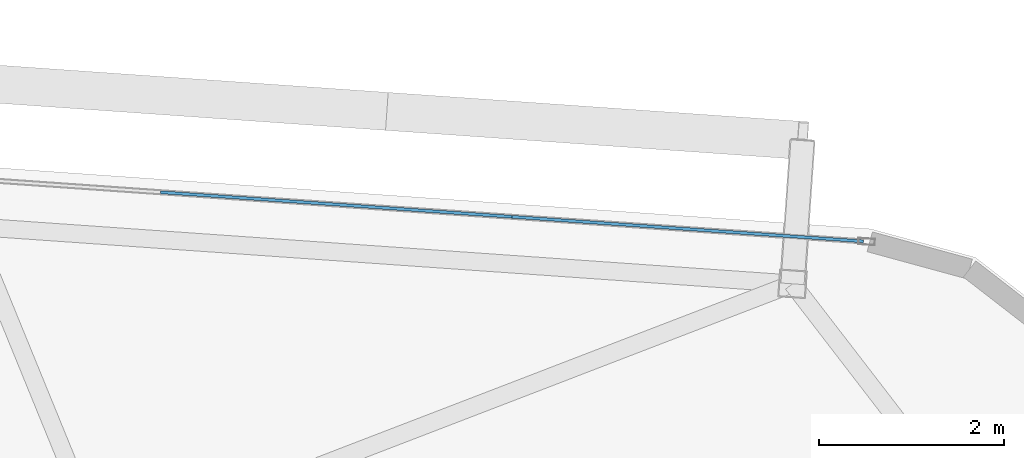
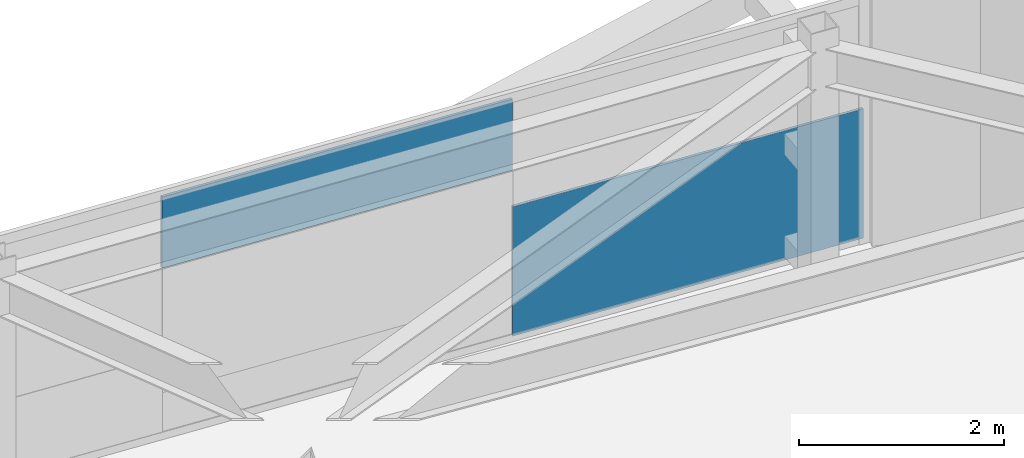
# One storey, part 26 of 39: 2 plates, 1 element without a shape of its own.
"""IFC4 building model written with IfcOpenShell, lengths in metres."""

from ifc_helpers import new_model, si_unit, direction, frame, origin, origin_2d, place, context, subcontext, project, spatial, rectangle, extrude, source, transform, mapped, material, layer, layer_set, type_object, element, aggregate, save


model = new_model("IFC4")

# Units and contexts
model_context = context("Model", 3, precision=1e-05, world=origin(), true_north=direction((0.0, 1.0)))
body_context = subcontext(model_context, "Body", "Model", "MODEL_VIEW")
ifc_project = project(units=[si_unit("LENGTHUNIT", "METRE"), si_unit("AREAUNIT", "SQUARE_METRE"), si_unit("VOLUMEUNIT", "CUBIC_METRE"), si_unit("PLANEANGLEUNIT", "RADIAN"), si_unit("MASSUNIT", "GRAM", prefix="KILO")], contexts=[model_context])

# Site, building, storey
site_placement = place(None, origin())
site = spatial("IfcSite", under=ifc_project, at=site_placement, CompositionType="ELEMENT")
building_placement = place(site_placement, origin())
building = spatial("IfcBuilding", under=site, at=building_placement, Name="Taldren Reach Tower", CompositionType="ELEMENT")
storey_placement = place(building_placement, frame((0.0, 0.0, 126.699951171875)))
storey = spatial("IfcBuildingStorey", under=building, at=storey_placement, Name="L38", CompositionType="ELEMENT", Elevation=126.699951171875)

# Curtain wall, plates
ifc_material_1 = material(Name="Aluminium and Low-E Glass Unitised System", Category="aluminium")
ifc_layer_1 = layer(ifc_material_1, 0.159912109375)
ifc_layer_set_1 = layer_set([ifc_layer_1], Name="Aluminium and Low-E Glass Unitised System")
curtain_wall_type = type_object("IfcCurtainWallType", Name="CW-SYS-4", PredefinedType="NOTDEFINED", material=ifc_layer_set_1)
curtain_wall_placement = place(storey_placement, origin())
curtain_wall = element("IfcCurtainWall", 1, at=curtain_wall_placement, inside=storey, type_object=curtain_wall_type, Name="Unitised curtain wall CW-L38-N", PredefinedType="NOTDEFINED")
ifc_material_2 = material(Name="Solar-Control Double Glazed IGU", Category="glass")
ifc_layer_2 = layer(ifc_material_2, 0.031982421875)
ifc_layer_set_2 = layer_set([ifc_layer_2], Name="Solar-Control Double Glazed IGU")
plate_type = type_object("IfcPlateType", Name="CW-PNL-IGU32", PredefinedType="CURTAIN_PANEL", material=ifc_layer_set_2)
shared_shape_1 = source(origin(), body_context, "Body", "SweptSolid", [
    extrude(rectangle(XDim=3.79833984375, YDim=0.031982421875, at=origin_2d()), origin(), (0.0, 0.0, 1.0), 0.84716796875),
])
plate_1_placement = place(storey_placement, frame((53.5166015625, 35.716796875, 2.02783203125), z_axis=(0.0, 0.0, 1.0), x_axis=(-0.99756404731, 0.06975651593, 0.0)))
plate_1 = element("IfcPlate", 2, at=plate_1_placement, type_object=plate_type, Name="CW-4 panel 1.1 part 3", PredefinedType="CURTAIN_PANEL", context=body_context, shape_type="MappedRepresentation", body=[
    mapped(shared_shape_1, transform((0.0, 0.0, 0.0), scale=1.0)),
])
shared_shape_2 = source(origin(), body_context, "Body", "SweptSolid", [
    extrude(rectangle(XDim=3.79833984375, YDim=0.031982421875, at=origin_2d()), origin(), (0.0, 0.0, 1.0), 1.537841796875),
])
plate_2_placement = place(storey_placement, frame((57.3056640625, 35.451904296875, 0.05517578125), z_axis=(0.0, 0.0, 1.0), x_axis=(-0.99756404731, 0.06975651593, 0.0)))
plate_2 = element("IfcPlate", 3, at=plate_2_placement, type_object=plate_type, Name="CW-4 panel 1.1 part 1", PredefinedType="CURTAIN_PANEL", context=body_context, shape_type="MappedRepresentation", body=[
    mapped(shared_shape_2, transform((0.0, 0.0, 0.0), scale=1.0)),
])
aggregate(curtain_wall, [plate_2, plate_1])

save(model, "model.ifc")
